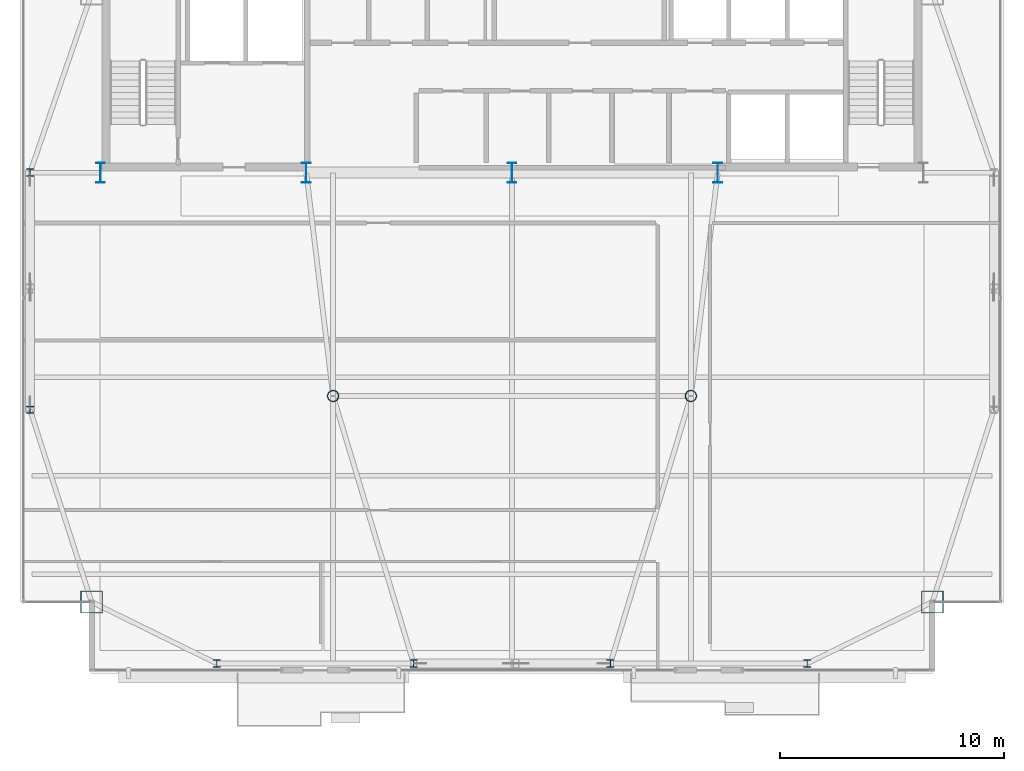
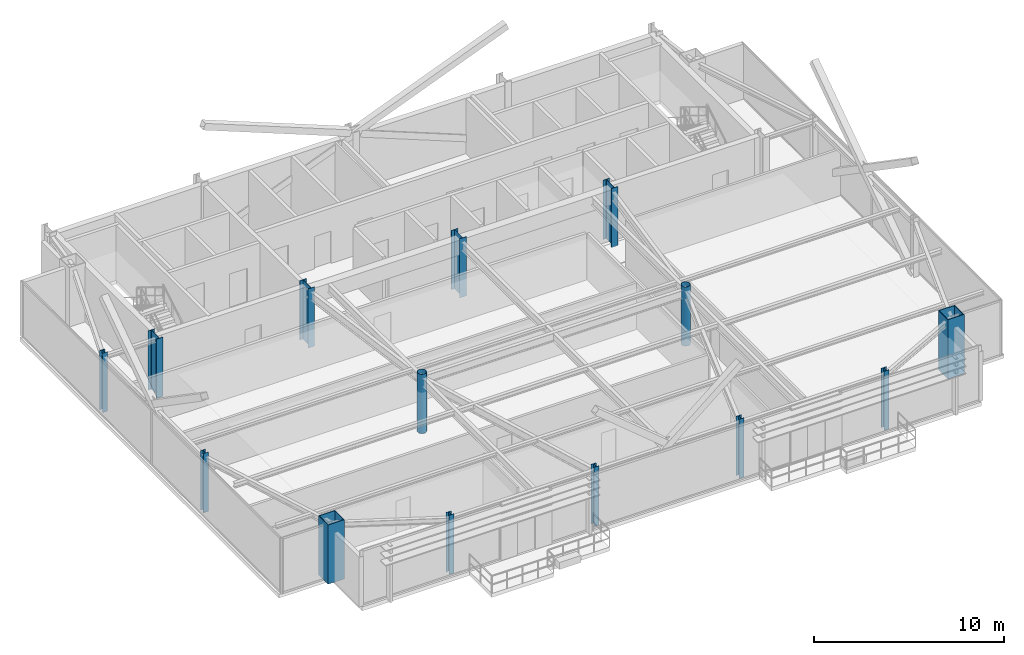
# One storey, part 1 of 25: 14 columns.
"""IFC4 building model written with IfcOpenShell, lengths in metres."""

from ifc_helpers import new_model, si_unit, direction, frame, origin, origin_2d, place, context, subcontext, project, spatial, hollow_rectangle, hollow_circle, i_section, extrude, source, transform, mapped, material, material_profile, profile_set, type_object, type_shapes, element, save


model = new_model("IFC4")

# Units and contexts
model_context = context("Model", 3, precision=1e-05, world=origin(), true_north=direction((0.0, 1.0)))
body_context = subcontext(model_context, "Body", "Model", "MODEL_VIEW")
ifc_project = project(units=[si_unit("LENGTHUNIT", "METRE"), si_unit("AREAUNIT", "SQUARE_METRE"), si_unit("VOLUMEUNIT", "CUBIC_METRE"), si_unit("PLANEANGLEUNIT", "RADIAN"), si_unit("MASSUNIT", "GRAM", prefix="KILO")], contexts=[model_context])

# Site, building, storey
site_placement = place(None, origin())
site = spatial("IfcSite", under=ifc_project, at=site_placement, CompositionType="ELEMENT")
building_placement = place(site_placement, origin())
building = spatial("IfcBuilding", under=site, at=building_placement, Name="Varnel Quay Broadcast Tower", CompositionType="ELEMENT")
storey_placement = place(building_placement, frame((0.0, 0.0, 288.800048828125)))
storey = spatial("IfcBuildingStorey", under=building, at=storey_placement, Name="L72", CompositionType="ELEMENT", Elevation=288.800048828125)

# Columns
ifc_material_1 = material(Name="Structural Steel CSA G40.21 350WT", Category="steel")
ifc_material_profile_1 = material_profile(ifc_material_1, i_section(OverallWidth=0.39990234375, OverallDepth=0.89990234375, WebThickness=0.01611328125, FlangeThickness=0.028076171875, FilletRadius=0.01611328125, at=origin_2d()), Name="WWF900X309")
ifc_profile_set_1 = profile_set([ifc_material_profile_1], Name="Structural Steel CSA G40.21 350WT")
column_type_1 = type_object("IfcColumnType", Name="Col_WWF900X309", PredefinedType="COLUMN", material=ifc_profile_set_1)
shared_shape_1 = source(origin(), body_context, "Body", "SweptSolid", [
    extrude(i_section(OverallWidth=0.39990234375, OverallDepth=0.89990234375, WebThickness=0.01611328125, FlangeThickness=0.028076171875, FilletRadius=0.01611328125, at=origin_2d()), origin(), (0.0, 0.0, 1.0), 3.800048828125),
])
type_shapes(column_type_1, [shared_shape_1])
for number, where, z_axis, x_axis, name in (
    (1, (15.60009765625, 35.60009765625, 0.0), (0.0, 0.0, 1.0), (1.0, 0.0, 0.0), "L72 Column CC-S1"),
    (2, (24.800048828125, 35.60009765625, 0.0), (0.0, 0.0, 1.0), (1.0, 0.0, 0.0), "L72 Column CC-S2"),
    (3, (34.0, 35.60009765625, 0.0), (0.0, 0.0, 1.0), (1.0, 0.0, 0.0), "L72 Column CC-S3"),
    (4, (43.199951171875, 35.60009765625, 0.0), (0.0, 0.0, 1.0), (1.0, 0.0, 0.0), "L72 Column CC-S4"),
):
    element("IfcColumn", number, at=place(storey_placement, frame(where, z_axis=z_axis, x_axis=x_axis)), inside=storey, type_object=column_type_1, Name=name, PredefinedType="COLUMN", context=body_context, shape_type="MappedRepresentation", body=[
        mapped(shared_shape_1, transform((0.0, 0.0, 0.0), x_axis=(1.0, 0.0, 0.0), y_axis=(0.0, 1.0, 0.0), z_axis=(0.0, 0.0, 1.0), scale=1.0)),
    ])
ifc_material_profile_2 = material_profile(ifc_material_1, hollow_rectangle(XDim=1.0, YDim=1.0, WallThickness=0.0400390625, at=origin_2d()), Name="BOX1000X1000X40")
ifc_profile_set_2 = profile_set([ifc_material_profile_2], Name="Structural Steel CSA G40.21 350WT")
column_type_2 = type_object("IfcColumnType", Name="Col_BOX1000X1000X40", PredefinedType="COLUMN", material=ifc_profile_set_2)
shared_shape_2 = source(origin(), body_context, "Body", "SweptSolid", [
    extrude(hollow_rectangle(XDim=1.0, YDim=1.0, WallThickness=0.0400390625, at=origin_2d()), origin(), (0.0, 0.0, 1.0), 3.800048828125),
])
type_shapes(column_type_2, [shared_shape_2])
for number, where, z_axis, x_axis, name in (
    (5, (15.199951171875, 16.39990234375, 0.0), (0.0, 0.0, 1.0), (1.0, 0.0, 0.0), "L72 Column MC-SW"),
    (6, (52.800048828125, 16.39990234375, 0.0), (0.0, 0.0, 1.0), (1.0, 0.0, 0.0), "L72 Column MC-SE"),
):
    element("IfcColumn", number, at=place(storey_placement, frame(where, z_axis=z_axis, x_axis=x_axis)), inside=storey, type_object=column_type_2, Name=name, PredefinedType="COLUMN", context=body_context, shape_type="MappedRepresentation", body=[
        mapped(shared_shape_2, transform((0.0, 0.0, 0.0), x_axis=(1.0, 0.0, 0.0), y_axis=(0.0, 1.0, 0.0), z_axis=(0.0, 0.0, 1.0), scale=1.0)),
    ])
ifc_material_2 = material(Name="Structural Steel CSA G40.21 350W", Category="steel")
ifc_material_profile_3 = material_profile(ifc_material_2, i_section(OverallWidth=0.30908203125, OverallDepth=0.322998046875, WebThickness=0.013916015625, FlangeThickness=0.02294921875, FilletRadius=0.014892578125, at=origin_2d()), Name="W310X143")
ifc_profile_set_3 = profile_set([ifc_material_profile_3], Name="Structural Steel CSA G40.21 350W")
column_type_3 = type_object("IfcColumnType", Name="Col_W310X143", PredefinedType="COLUMN", material=ifc_profile_set_3)
shared_shape_3 = source(origin(), body_context, "Body", "SweptSolid", [
    extrude(i_section(OverallWidth=0.30908203125, OverallDepth=0.322998046875, WebThickness=0.013916015625, FlangeThickness=0.02294921875, FilletRadius=0.014892578125, at=origin_2d()), origin(), (0.0, 0.0, 1.0), 3.800048828125),
])
type_shapes(column_type_3, [shared_shape_3])
for number, where, z_axis, x_axis, name in (
    (7, (20.800048828125, 13.64990234375, 0.0), (0.0, 0.0, 1.0), (1.0, 0.0, 0.0), "L72 Column TC-S1"),
    (8, (29.60009765625, 13.64990234375, 0.0), (0.0, 0.0, 1.0), (1.0, 0.0, 0.0), "L72 Column TC-S2"),
    (9, (38.39990234375, 13.64990234375, 0.0), (0.0, 0.0, 1.0), (1.0, 0.0, 0.0), "L72 Column TC-S3"),
    (10, (47.199951171875, 13.64990234375, 0.0), (0.0, 0.0, 1.0), (1.0, 0.0, 0.0), "L72 Column TC-S4"),
    (11, (12.449951171875, 25.0, 0.0), (0.0, 0.0, 1.0), (1.0, 0.0, 0.0), "L72 Column TC-W1"),
    (12, (12.449951171875, 35.60009765625, 0.0), (0.0, 0.0, 1.0), (1.0, 0.0, 0.0), "L72 Column TC-W2"),
):
    element("IfcColumn", number, at=place(storey_placement, frame(where, z_axis=z_axis, x_axis=x_axis)), inside=storey, type_object=column_type_3, Name=name, PredefinedType="COLUMN", context=body_context, shape_type="MappedRepresentation", body=[
        mapped(shared_shape_3, transform((0.0, 0.0, 0.0), x_axis=(1.0, 0.0, 0.0), y_axis=(0.0, 1.0, 0.0), z_axis=(0.0, 0.0, 1.0), scale=1.0)),
    ])
ifc_material_profile_4 = material_profile(ifc_material_2, hollow_circle(Radius=0.25390625, WallThickness=0.02001953125, at=origin_2d()), Name="CHS508X20")
ifc_profile_set_4 = profile_set([ifc_material_profile_4], Name="Structural Steel CSA G40.21 350W")
column_type_4 = type_object("IfcColumnType", Name="Col_CHS508X20", PredefinedType="COLUMN", material=ifc_profile_set_4)
shared_shape_4 = source(origin(), body_context, "Body", "SweptSolid", [
    extrude(hollow_circle(Radius=0.25390625, WallThickness=0.02001953125, at=origin_2d()), origin(), (0.0, 0.0, 1.0), 3.800048828125),
])
type_shapes(column_type_4, [shared_shape_4])
for number, where, z_axis, x_axis, name in (
    (13, (26.0, 25.610107421875, 0.0), (0.0, 0.0, 1.0), (1.0, 0.0, 0.0), "L72 Column IC-01"),
    (14, (42.0, 25.610107421875, 0.0), (0.0, 0.0, 1.0), (1.0, 0.0, 0.0), "L72 Column IC-02"),
):
    element("IfcColumn", number, at=place(storey_placement, frame(where, z_axis=z_axis, x_axis=x_axis)), inside=storey, type_object=column_type_4, Name=name, PredefinedType="COLUMN", context=body_context, shape_type="MappedRepresentation", body=[
        mapped(shared_shape_4, transform((0.0, 0.0, 0.0), x_axis=(1.0, 0.0, 0.0), y_axis=(0.0, 1.0, 0.0), z_axis=(0.0, 0.0, 1.0), scale=1.0)),
    ])

save(model, "model.ifc")
